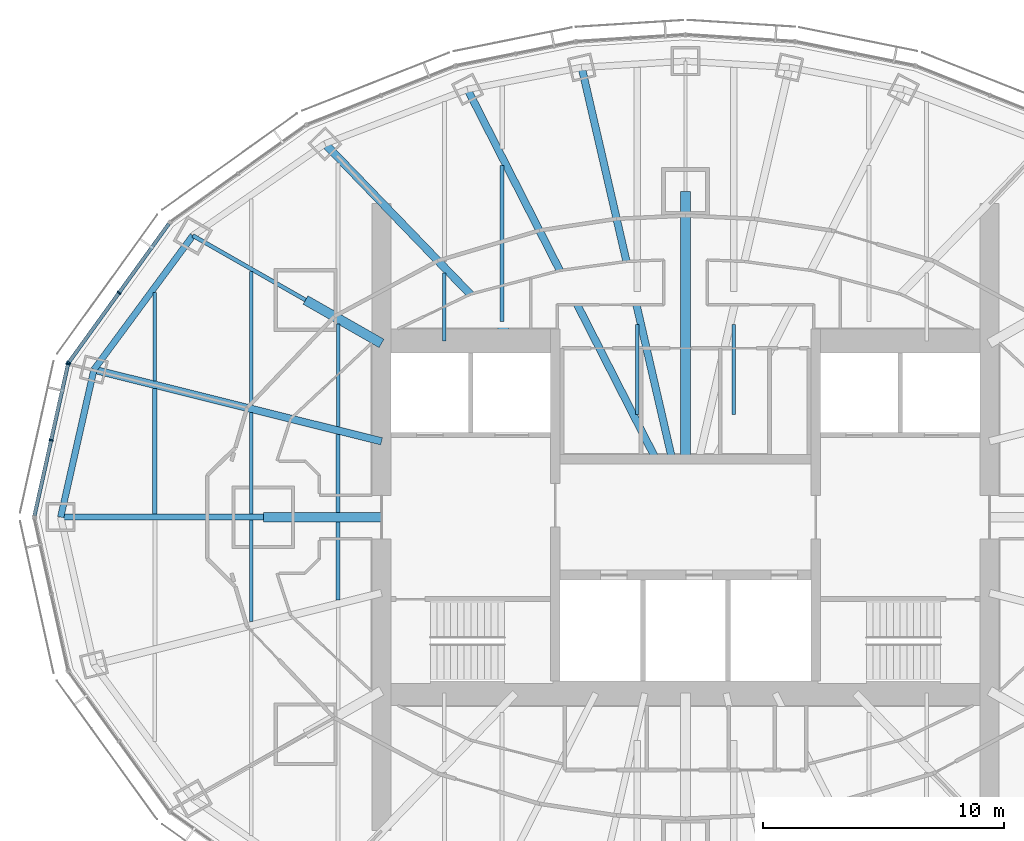
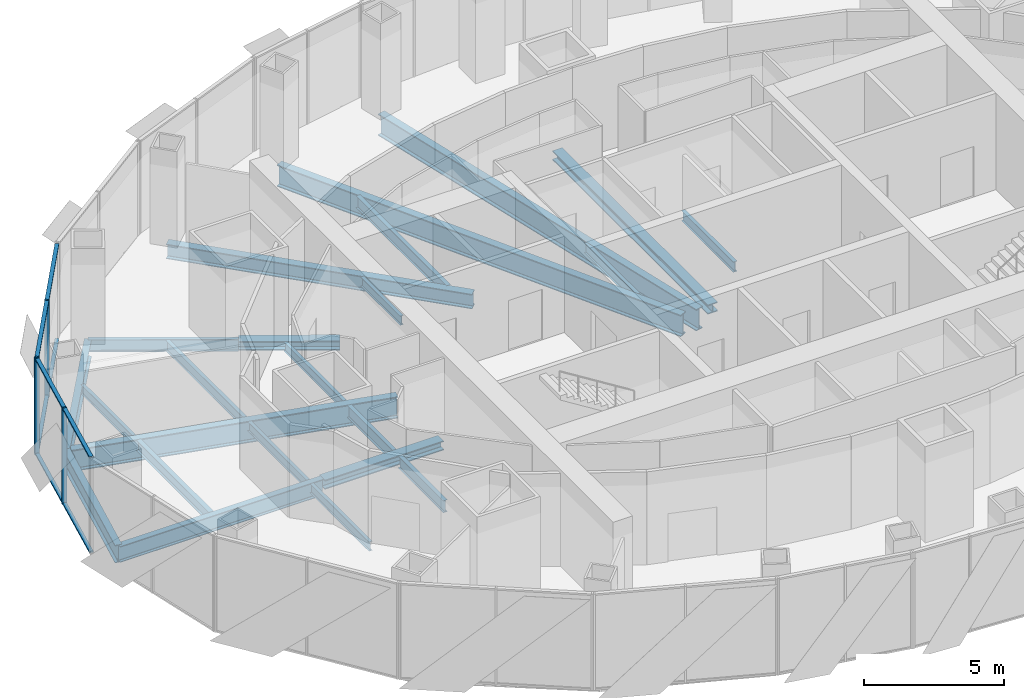
# One storey, part 4 of 17: 23 beams, 12 members, 2 elements without a shape of their own.
"""IFC4 building model written with IfcOpenShell, lengths in metres."""

from ifc_helpers import new_model, si_unit, direction, frame, origin, origin_2d, place, context, subcontext, project, spatial, rectangle, i_section, extrude, material, material_profile, profile_set, type_object, element, aggregate, save


model = new_model("IFC4")

# Units and contexts
model_context = context("Model", 3, precision=1e-05, world=origin(), true_north=direction((0.0, 1.0)))
body_context = subcontext(model_context, "Body", "Model", "MODEL_VIEW")
ifc_project = project(units=[si_unit("LENGTHUNIT", "METRE"), si_unit("AREAUNIT", "SQUARE_METRE"), si_unit("VOLUMEUNIT", "CUBIC_METRE"), si_unit("PLANEANGLEUNIT", "RADIAN"), si_unit("MASSUNIT", "GRAM", prefix="KILO")], contexts=[model_context])

# Site, building, storey
site_placement = place(None, origin())
site = spatial("IfcSite", under=ifc_project, at=site_placement, CompositionType="ELEMENT")
building_placement = place(site_placement, origin())
building = spatial("IfcBuilding", under=site, at=building_placement, Name="Lantaw Convention Tower", CompositionType="ELEMENT")
storey_placement = place(building_placement, frame((0.0, 0.0, 211.60009765625)))
storey = spatial("IfcBuildingStorey", under=building, at=storey_placement, Name="L49", CompositionType="ELEMENT", Elevation=211.60009765625)

# Beams
ifc_material_1 = material(Name="Steel ASTM A992", Category="steel")
ifc_material_profile_1 = material_profile(ifc_material_1, i_section(OverallWidth=0.2666015625, OverallDepth=0.76953125, WebThickness=0.015625, FlangeThickness=0.025390625, FilletRadius=0.0126953125, at=origin_2d()), Name="W30X132")
ifc_profile_set_1 = profile_set([ifc_material_profile_1], Name="Steel ASTM A992")
beam_type_1 = type_object("IfcBeamType", Name="Beam E W30X132", PredefinedType="SPANDREL", material=ifc_profile_set_1)
beam_1_placement = place(storey_placement, frame((-20.423095703125, 11.67041015625, -0.534912109375), z_axis=(-0.593639188853, -0.804731329984, 0.0), x_axis=(0.804731329984, -0.593639188853, 0.0)))
element("IfcBeam", 1, at=beam_1_placement, inside=storey, type_object=beam_type_1, Name="Edge beam 11", PredefinedType="SPANDREL", context=body_context, shape_type="SweptSolid", body=[
    extrude(i_section(OverallWidth=0.2666015625, OverallDepth=0.76953125, WebThickness=0.015625, FlangeThickness=0.025390625, FilletRadius=0.0126953125, at=origin_2d()), origin(), (0.0, 0.0, 1.0), 6.904541015625),
])
beam_2_placement = place(storey_placement, frame((-24.52197265625, 6.114013671875, -0.534912109375), z_axis=(-0.219857926596, -0.97553190215, 0.0), x_axis=(0.97553190215, -0.219857926596, 0.0)))
element("IfcBeam", 2, at=beam_2_placement, inside=storey, type_object=beam_type_1, Name="Edge beam 12", PredefinedType="SPANDREL", context=body_context, shape_type="SweptSolid", body=[
    extrude(i_section(OverallWidth=0.2666015625, OverallDepth=0.76953125, WebThickness=0.015625, FlangeThickness=0.025390625, FilletRadius=0.0126953125, at=origin_2d()), origin(), (0.0, 0.0, 1.0), 6.267333984375),
])
ifc_material_profile_2 = material_profile(ifc_material_1, i_section(OverallWidth=0.1650390625, OverallDepth=0.52587890625, WebThickness=0.0087890625, FlangeThickness=0.011474609375, FilletRadius=0.0126953125, at=origin_2d()), Name="W21X44")
ifc_profile_set_2 = profile_set([ifc_material_profile_2], Name="Steel ASTM A992")
beam_type_2 = type_object("IfcBeamType", Name="Beam G W21X44", PredefinedType="BEAM", material=ifc_profile_set_2)
beam_3_placement = place(storey_placement, frame((-15.75, 9.0, -0.4130859375), z_axis=(-0.868237559289, 0.496148708192, 0.0), x_axis=(-0.496148708192, -0.868237559289, 0.0)))
element("IfcBeam", 3, at=beam_3_placement, inside=storey, type_object=beam_type_2, Name="Floor girder on ray 11", PredefinedType="BEAM", context=body_context, shape_type="SweptSolid", body=[
    extrude(i_section(OverallWidth=0.1650390625, OverallDepth=0.52587890625, WebThickness=0.0087890625, FlangeThickness=0.011474609375, FilletRadius=0.0126953125, at=origin_2d()), origin(), (0.0, 0.0, 1.0), 5.38232421875),
])
ifc_material_profile_3 = material_profile(ifc_material_1, i_section(OverallWidth=0.32763671875, OverallDepth=0.64013671875, WebThickness=0.01904296875, FlangeThickness=0.033935546875, FilletRadius=0.0126953125, at=origin_2d()), Name="W24X176")
ifc_profile_set_3 = profile_set([ifc_material_profile_3], Name="Steel ASTM A992")
beam_type_3 = type_object("IfcBeamType", Name="Beam G W24X176", PredefinedType="BEAM", material=ifc_profile_set_3)
beam_4_placement = place(storey_placement, frame((-7.049560546875, 7.300048828125, -0.47021484375), z_axis=(-0.694657766726, 0.719340383356, 0.0), x_axis=(-0.719340383356, -0.694657766726, 0.0)))
element("IfcBeam", 4, at=beam_4_placement, inside=storey, type_object=beam_type_3, Name="Floor girder on ray 10", PredefinedType="BEAM", context=body_context, shape_type="SweptSolid", body=[
    extrude(i_section(OverallWidth=0.32763671875, OverallDepth=0.64013671875, WebThickness=0.01904296875, FlangeThickness=0.033935546875, FilletRadius=0.0126953125, at=origin_2d()), origin(), (0.0, 0.0, 1.0), 11.364990234375),
])
ifc_material_profile_4 = material_profile(ifc_material_1, i_section(OverallWidth=0.25390625, OverallDepth=0.700927734375, WebThickness=0.015380859375, FlangeThickness=0.02783203125, FilletRadius=0.01513671875, at=origin_2d()), Name="W27X129")
ifc_profile_set_4 = profile_set([ifc_material_profile_4], Name="Steel ASTM A992")
beam_type_4 = type_object("IfcBeamType", Name="Beam G W27X129", PredefinedType="BEAM", material=ifc_profile_set_4)
beam_5_placement = place(storey_placement, frame((-17.5, 0.0, -0.500732421875), z_axis=(-1.0, 0.0, 0.0), x_axis=(0.0, -1.0, 0.0)))
element("IfcBeam", 5, at=beam_5_placement, inside=storey, type_object=beam_type_4, Name="Floor girder on ray 13", PredefinedType="BEAM", context=body_context, shape_type="SweptSolid", body=[
    extrude(i_section(OverallWidth=0.25390625, OverallDepth=0.700927734375, WebThickness=0.015380859375, FlangeThickness=0.02783203125, FilletRadius=0.01513671875, at=origin_2d()), origin(), (0.0, 0.0, 1.0), 8.39990234375),
])
ifc_material_profile_5 = material_profile(ifc_material_1, i_section(OverallWidth=0.307373046875, OverallDepth=0.9423828125, WebThickness=0.022216796875, FlangeThickness=0.039794921875, FilletRadius=0.0126953125, at=origin_2d()), Name="W36X232")
ifc_profile_set_5 = profile_set([ifc_material_profile_5], Name="Steel ASTM A992")
beam_type_5 = type_object("IfcBeamType", Name="Beam G W36X232", PredefinedType="BEAM", material=ifc_profile_set_5)
beam_6_placement = place(storey_placement, frame((-0.55419921875, 2.39990234375, -0.621337890625), z_axis=(-0.224948287002, 0.974370703672, 0.0), x_axis=(-0.974370703672, -0.224948287002, 0.0)))
element("IfcBeam", 6, at=beam_6_placement, inside=storey, type_object=beam_type_5, Name="Floor girder on ray 8", PredefinedType="BEAM", context=body_context, shape_type="SweptSolid", body=[
    extrude(i_section(OverallWidth=0.307373046875, OverallDepth=0.9423828125, WebThickness=0.022216796875, FlangeThickness=0.039794921875, FilletRadius=0.0126953125, at=origin_2d()), origin(), (0.0, 0.0, 1.0), 16.66943359375),
])
beam_7_placement = place(storey_placement, frame((-1.222900390625, 2.39990234375, -0.621337890625), z_axis=(-0.453988481463, 0.891007552549, 0.0), x_axis=(-0.891007552549, -0.453988481463, 0.0)))
element("IfcBeam", 7, at=beam_7_placement, inside=storey, type_object=beam_type_5, Name="Floor girder on ray 9", PredefinedType="BEAM", context=body_context, shape_type="SweptSolid", body=[
    extrude(i_section(OverallWidth=0.307373046875, OverallDepth=0.9423828125, WebThickness=0.022216796875, FlangeThickness=0.039794921875, FilletRadius=0.0126953125, at=origin_2d()), origin(), (0.0, 0.0, 1.0), 17.20703125),
])
beam_8_placement = place(storey_placement, frame((-12.60009765625, 3.1416015625, -0.621337890625), z_axis=(-0.970296589314, 0.241918434119, 0.0), x_axis=(-0.241918434119, -0.970296589314, 0.0)))
element("IfcBeam", 8, at=beam_8_placement, inside=storey, type_object=beam_type_5, Name="Floor girder on ray 12", PredefinedType="BEAM", context=body_context, shape_type="SweptSolid", body=[
    extrude(i_section(OverallWidth=0.307373046875, OverallDepth=0.9423828125, WebThickness=0.022216796875, FlangeThickness=0.039794921875, FilletRadius=0.0126953125, at=origin_2d()), origin(), (0.0, 0.0, 1.0), 12.286865234375),
])
ifc_material_profile_6 = material_profile(ifc_material_1, i_section(OverallWidth=0.40380859375, OverallDepth=0.406494140625, WebThickness=0.027099609375, FlangeThickness=0.043701171875, FilletRadius=0.01513671875, at=origin_2d()), Name="W14X233")
ifc_profile_set_6 = profile_set([ifc_material_profile_6], Name="Steel ASTM A992")
beam_type_6 = type_object("IfcBeamType", Name="Beam GM W14X233", PredefinedType="BEAM", material=ifc_profile_set_6)
beam_9_placement = place(storey_placement, frame((0.0, 2.39990234375, -0.353271484375), z_axis=(0.0, 1.0, 0.0), x_axis=(-1.0, 0.0, 0.0)))
element("IfcBeam", 9, at=beam_9_placement, inside=storey, type_object=beam_type_6, Name="Core link beam on ray 7", PredefinedType="BEAM", context=body_context, shape_type="SweptSolid", body=[
    extrude(i_section(OverallWidth=0.40380859375, OverallDepth=0.406494140625, WebThickness=0.027099609375, FlangeThickness=0.043701171875, FilletRadius=0.01513671875, at=origin_2d()), origin(), (0.0, 0.0, 1.0), 11.10009765625),
])
beam_10_placement = place(storey_placement, frame((-12.60009765625, 7.199951171875, -0.353271484375), z_axis=(-0.868230718294, 0.496160679428, 0.0), x_axis=(-0.496160679428, -0.868230718294, 0.0)))
element("IfcBeam", 10, at=beam_10_placement, inside=storey, type_object=beam_type_6, Name="Core link beam on ray 11", PredefinedType="BEAM", context=body_context, shape_type="SweptSolid", body=[
    extrude(i_section(OverallWidth=0.40380859375, OverallDepth=0.406494140625, WebThickness=0.027099609375, FlangeThickness=0.043701171875, FilletRadius=0.01513671875, at=origin_2d()), origin(), (0.0, 0.0, 1.0), 3.6279296875),
])
beam_11_placement = place(storey_placement, frame((-12.60009765625, 0.0, -0.353271484375), z_axis=(-1.0, 0.0, 0.0), x_axis=(0.0, -1.0, 0.0)))
element("IfcBeam", 11, at=beam_11_placement, inside=storey, type_object=beam_type_6, Name="Core link beam on ray 13", PredefinedType="BEAM", context=body_context, shape_type="SweptSolid", body=[
    extrude(i_section(OverallWidth=0.40380859375, OverallDepth=0.406494140625, WebThickness=0.027099609375, FlangeThickness=0.043701171875, FilletRadius=0.01513671875, at=origin_2d()), origin(), (0.0, 0.0, 1.0), 4.89990234375),
])
ifc_material_profile_7 = material_profile(ifc_material_1, i_section(OverallWidth=0.140380859375, OverallDepth=0.40380859375, WebThickness=0.007080078125, FlangeThickness=0.01123046875, FilletRadius=0.01025390625, at=origin_2d()), Name="W16X31")
ifc_profile_set_7 = profile_set([ifc_material_profile_7], Name="Steel ASTM A992")
beam_type_7 = type_object("IfcBeamType", Name="Beam J W16X31", PredefinedType="JOIST", material=ifc_profile_set_7)
beam_12_placement = place(storey_placement, frame((-22.0, 5.6435546875, -0.35205078125), z_axis=(0.0, 1.0, 0.0), x_axis=(-1.0, 0.0, 0.0)))
element("IfcBeam", 12, at=beam_12_placement, inside=storey, type_object=beam_type_7, Name="Floor joist", PredefinedType="JOIST", context=body_context, shape_type="SweptSolid", body=[
    extrude(i_section(OverallWidth=0.140380859375, OverallDepth=0.40380859375, WebThickness=0.007080078125, FlangeThickness=0.01123046875, FilletRadius=0.01025390625, at=origin_2d()), origin(), (0.0, 0.0, 1.0), 3.66455078125),
])
for number, where, z_axis, x_axis, name in (
    (13, (-18.0, -4.32958984375, -0.35205078125), (0.0, 1.0, 0.0), (-1.0, 0.0, 0.0), "Floor joist"),
    (14, (-18.0, 0.126953125, -0.35205078125), (0.0, 1.0, 0.0), (-1.0, 0.0, 0.0), "Floor joist"),
):
    element("IfcBeam", number, at=place(storey_placement, frame(where, z_axis=z_axis, x_axis=x_axis)), inside=storey, type_object=beam_type_7, Name=name, PredefinedType="JOIST", context=body_context, shape_type="SweptSolid", body=[
        extrude(i_section(OverallWidth=0.140380859375, OverallDepth=0.40380859375, WebThickness=0.007080078125, FlangeThickness=0.01123046875, FilletRadius=0.01025390625, at=origin_2d()), origin(), (0.0, 0.0, 1.0), 4.20263671875),
    ])
beam_13_placement = place(storey_placement, frame((-14.39990234375, 3.748779296875, -0.35205078125), z_axis=(0.0, 1.0, 0.0), x_axis=(-1.0, 0.0, 0.0)))
element("IfcBeam", 15, at=beam_13_placement, inside=storey, type_object=beam_type_7, Name="Floor joist", PredefinedType="JOIST", context=body_context, shape_type="SweptSolid", body=[
    extrude(i_section(OverallWidth=0.140380859375, OverallDepth=0.40380859375, WebThickness=0.007080078125, FlangeThickness=0.01123046875, FilletRadius=0.01025390625, at=origin_2d()), origin(), (0.0, 0.0, 1.0), 4.247314453125),
])
beam_14_placement = place(storey_placement, frame((-10.0, 7.300048828125, -0.35205078125), z_axis=(0.0, 1.0, 0.0), x_axis=(-1.0, 0.0, 0.0)))
element("IfcBeam", 16, at=beam_14_placement, inside=storey, type_object=beam_type_7, Name="Floor joist", PredefinedType="JOIST", context=body_context, shape_type="SweptSolid", body=[
    extrude(i_section(OverallWidth=0.140380859375, OverallDepth=0.40380859375, WebThickness=0.007080078125, FlangeThickness=0.01123046875, FilletRadius=0.01025390625, at=origin_2d()), origin(), (0.0, 0.0, 1.0), 2.8193359375),
])
ifc_material_profile_8 = material_profile(ifc_material_1, i_section(OverallWidth=0.15234375, OverallDepth=0.449462890625, WebThickness=0.007568359375, FlangeThickness=0.0107421875, FilletRadius=0.01025390625, at=origin_2d()), Name="W18X35")
ifc_profile_set_8 = profile_set([ifc_material_profile_8], Name="Steel ASTM A992")
beam_type_8 = type_object("IfcBeamType", Name="Beam J W18X35", PredefinedType="JOIST", material=ifc_profile_set_8)
beam_15_placement = place(storey_placement, frame((-18.0, 4.646240234375, -0.375), z_axis=(0.0, 1.0, 0.0), x_axis=(-1.0, 0.0, 0.0)))
element("IfcBeam", 17, at=beam_15_placement, inside=storey, type_object=beam_type_8, Name="Floor joist", PredefinedType="JOIST", context=body_context, shape_type="SweptSolid", body=[
    extrude(i_section(OverallWidth=0.15234375, OverallDepth=0.449462890625, WebThickness=0.007568359375, FlangeThickness=0.0107421875, FilletRadius=0.01025390625, at=origin_2d()), origin(), (0.0, 0.0, 1.0), 5.54443359375),
])
for number, where, z_axis, x_axis, name in (
    (18, (-2.0, 4.263671875, -0.375), (0.0, 1.0, 0.0), (-1.0, 0.0, 0.0), "Floor joist"),
    (19, (2.0, 4.263671875, -0.375), (0.0, 1.0, 0.0), (-1.0, 0.0, 0.0), "Floor joist"),
):
    element("IfcBeam", number, at=place(storey_placement, frame(where, z_axis=z_axis, x_axis=x_axis)), inside=storey, type_object=beam_type_8, Name=name, PredefinedType="JOIST", context=body_context, shape_type="SweptSolid", body=[
        extrude(i_section(OverallWidth=0.15234375, OverallDepth=0.449462890625, WebThickness=0.007568359375, FlangeThickness=0.0107421875, FilletRadius=0.01025390625, at=origin_2d()), origin(), (0.0, 0.0, 1.0), 3.716064453125),
    ])
ifc_material_profile_9 = material_profile(ifc_material_1, i_section(OverallWidth=0.1904296875, OverallDepth=0.457275390625, WebThickness=0.009033203125, FlangeThickness=0.014404296875, FilletRadius=0.01025390625, at=origin_2d()), Name="W18X50")
ifc_profile_set_9 = profile_set([ifc_material_profile_9], Name="Steel ASTM A992")
beam_type_9 = type_object("IfcBeamType", Name="Beam J W18X50", PredefinedType="JOIST", material=ifc_profile_set_9)
beam_16_placement = place(storey_placement, frame((-22.0, 0.126953125, -0.378662109375), z_axis=(0.0, 1.0, 0.0), x_axis=(-1.0, 0.0, 0.0)))
element("IfcBeam", 20, at=beam_16_placement, inside=storey, type_object=beam_type_9, Name="Floor joist", PredefinedType="JOIST", context=body_context, shape_type="SweptSolid", body=[
    extrude(i_section(OverallWidth=0.1904296875, OverallDepth=0.457275390625, WebThickness=0.009033203125, FlangeThickness=0.014404296875, FilletRadius=0.01025390625, at=origin_2d()), origin(), (0.0, 0.0, 1.0), 5.199951171875),
])
ifc_material_profile_10 = material_profile(ifc_material_1, i_section(OverallWidth=0.1650390625, OverallDepth=0.52587890625, WebThickness=0.0087890625, FlangeThickness=0.011474609375, FilletRadius=0.0126953125, at=origin_2d()), Name="W21X44")
ifc_profile_set_10 = profile_set([ifc_material_profile_10], Name="Steel ASTM A992")
beam_type_10 = type_object("IfcBeamType", Name="Beam J W21X44", PredefinedType="JOIST", material=ifc_profile_set_10)
for number, where, z_axis, x_axis, name in (
    (21, (-14.39990234375, -3.431884765625, -0.4130859375), (0.0, 1.0, 0.0), (-1.0, 0.0, 0.0), "Floor joist"),
    (22, (-14.39990234375, 0.201904296875, -0.4130859375), (0.0, 1.0, 0.0), (-1.0, 0.0, 0.0), "Floor joist"),
):
    element("IfcBeam", number, at=place(storey_placement, frame(where, z_axis=z_axis, x_axis=x_axis)), inside=storey, type_object=beam_type_10, Name=name, PredefinedType="JOIST", context=body_context, shape_type="SweptSolid", body=[
        extrude(i_section(OverallWidth=0.1650390625, OverallDepth=0.52587890625, WebThickness=0.0087890625, FlangeThickness=0.011474609375, FilletRadius=0.0126953125, at=origin_2d()), origin(), (0.0, 0.0, 1.0), 3.22998046875),
    ])
beam_17_placement = place(storey_placement, frame((-7.60009765625, 8.10595703125, -0.4130859375), z_axis=(0.0, 1.0, 0.0), x_axis=(-1.0, 0.0, 0.0)))
element("IfcBeam", 23, at=beam_17_placement, inside=storey, type_object=beam_type_10, Name="Floor joist", PredefinedType="JOIST", context=body_context, shape_type="SweptSolid", body=[
    extrude(i_section(OverallWidth=0.1650390625, OverallDepth=0.52587890625, WebThickness=0.0087890625, FlangeThickness=0.011474609375, FilletRadius=0.0126953125, at=origin_2d()), origin(), (0.0, 0.0, 1.0), 6.471435546875),
])

# Curtain wall, members
ifc_material_2 = material(Name="Aluminium framed curtain wall", Category="aluminium")
curtain_wall_type = type_object("IfcCurtainWallType", Name="Office curtain wall high rise, pale aluminium", PredefinedType="USERDEFINED", material=ifc_material_2)
curtain_wall_1_placement = place(storey_placement, origin())
curtain_wall_1 = element("IfcCurtainWall", 24, at=curtain_wall_1_placement, inside=storey, type_object=curtain_wall_type, Name="Office curtain wall high rise, pale aluminium L49", ObjectType="UNITISED CURTAIN WALL", PredefinedType="USERDEFINED")
ifc_material_3 = material(Name="Aluminium 6063-T6", Category="aluminium")
ifc_material_profile_11 = material_profile(ifc_material_3, rectangle(XDim=0.179931640625, YDim=0.06494140625, at=origin_2d()), Name="CW-O2 mullion 65x180")
ifc_profile_set_11 = profile_set([ifc_material_profile_11], Name="Aluminium 6063-T6")
member_type_1 = type_object("IfcMemberType", Name="CW-O2 mullion 65x180", PredefinedType="MULLION", material=ifc_profile_set_11)
member_1_placement = place(storey_placement, frame((-23.483642578125, 9.298095703125, -0.150146484375), z_axis=(0.0, 0.0, 1.0), x_axis=(0.810919559405, -0.585157643865, 0.0)))
member_1 = element("IfcMember", 25, at=member_1_placement, type_object=member_type_1, Name="CW-O2 mullion 2", PredefinedType="MULLION", context=body_context, shape_type="SweptSolid", body=[
    extrude(rectangle(XDim=0.179931640625, YDim=0.06494140625, at=origin_2d()), origin(), (0.0, 0.0, 1.0), 4.199951171875),
])
member_2_placement = place(storey_placement, frame((-25.5703125, 6.406494140625, -0.150146484375), z_axis=(0.0, 0.0, 1.0), x_axis=(0.810919559405, -0.585157643865, 0.0)))
member_2 = element("IfcMember", 26, at=member_2_placement, type_object=member_type_1, Name="CW-O2 mullion 3", PredefinedType="MULLION", context=body_context, shape_type="SweptSolid", body=[
    extrude(rectangle(XDim=0.179931640625, YDim=0.06494140625, at=origin_2d()), origin(), (0.0, 0.0, 1.0), 4.199951171875),
])

curtain_wall_2_placement = place(storey_placement, origin())
curtain_wall_2 = element("IfcCurtainWall", 27, at=curtain_wall_2_placement, inside=storey, type_object=curtain_wall_type, Name="Office curtain wall high rise, pale aluminium L49", ObjectType="UNITISED CURTAIN WALL", PredefinedType="USERDEFINED")
member_3_placement = place(storey_placement, frame((-25.596435546875, 6.348388671875, -0.150146484375), z_axis=(0.0, 0.0, 1.0), x_axis=(0.976417396437, -0.215891333626, 0.0)))
member_3 = element("IfcMember", 28, at=member_3_placement, type_object=member_type_1, Name="CW-O2 mullion 1", PredefinedType="MULLION", context=body_context, shape_type="SweptSolid", body=[
    extrude(rectangle(XDim=0.179931640625, YDim=0.06494140625, at=origin_2d()), origin(), (0.0, 0.0, 1.0), 4.199951171875),
])
member_4_placement = place(storey_placement, frame((-26.294677734375, 3.190185546875, -0.150146484375), z_axis=(0.0, 0.0, 1.0), x_axis=(0.976417396437, -0.215891333626, 0.0)))
member_4 = element("IfcMember", 29, at=member_4_placement, type_object=member_type_1, Name="CW-O2 mullion 2", PredefinedType="MULLION", context=body_context, shape_type="SweptSolid", body=[
    extrude(rectangle(XDim=0.179931640625, YDim=0.06494140625, at=origin_2d()), origin(), (0.0, 0.0, 1.0), 4.199951171875),
])

# Member
ifc_material_profile_12 = material_profile(ifc_material_3, rectangle(XDim=0.14990234375, YDim=0.06494140625, at=origin_2d()), Name="CW-O2 transom 65x150")
ifc_profile_set_12 = profile_set([ifc_material_profile_12], Name="Aluminium 6063-T6")
member_type_2 = type_object("IfcMemberType", Name="CW-O2 transom 65x150", PredefinedType="USERDEFINED", material=ifc_profile_set_12)
member_5_placement = place(storey_placement, frame((-21.416259765625, 12.163330078125, -0.11767578125), z_axis=(-0.585123825205, -0.810943961798, 0.0), x_axis=(0.810943961798, -0.585123825205, 0.0)))
member_5 = element("IfcMember", 30, at=member_5_placement, type_object=member_type_2, Name="CW-O2 transom 1.1", ObjectType="TRANSOM", PredefinedType="USERDEFINED", context=body_context, shape_type="SweptSolid", body=[
    extrude(rectangle(XDim=0.14990234375, YDim=0.06494140625, at=origin_2d()), origin(), (0.0, 0.0, 1.0), 3.500732421875),
])

member_6_placement = place(storey_placement, frame((-21.416259765625, 12.163330078125, 4.017333984375), z_axis=(-0.585123825205, -0.810943961798, 0.0), x_axis=(0.810943961798, -0.585123825205, 0.0)))
member_6 = element("IfcMember", 31, at=member_6_placement, type_object=member_type_2, Name="CW-O2 transom 1.2", ObjectType="TRANSOM", PredefinedType="USERDEFINED", context=body_context, shape_type="SweptSolid", body=[
    extrude(rectangle(XDim=0.14990234375, YDim=0.06494140625, at=origin_2d()), origin(), (0.0, 0.0, 1.0), 3.500732421875),
])

member_7_placement = place(storey_placement, frame((-23.502685546875, 9.271728515625, -0.11767578125), z_axis=(-0.585169685931, -0.810910869743, 0.0), x_axis=(0.810910869743, -0.585169685931, 0.0)))
member_7 = element("IfcMember", 32, at=member_7_placement, type_object=member_type_2, Name="CW-O2 transom 2.1", ObjectType="TRANSOM", PredefinedType="USERDEFINED", context=body_context, shape_type="SweptSolid", body=[
    extrude(rectangle(XDim=0.14990234375, YDim=0.06494140625, at=origin_2d()), origin(), (0.0, 0.0, 1.0), 3.500732421875),
])

member_8_placement = place(storey_placement, frame((-23.502685546875, 9.271728515625, 4.017333984375), z_axis=(-0.585169685931, -0.810910869743, 0.0), x_axis=(0.810910869743, -0.585169685931, 0.0)))
member_8 = element("IfcMember", 33, at=member_8_placement, type_object=member_type_2, Name="CW-O2 transom 2.2", ObjectType="TRANSOM", PredefinedType="USERDEFINED", context=body_context, shape_type="SweptSolid", body=[
    extrude(rectangle(XDim=0.14990234375, YDim=0.06494140625, at=origin_2d()), origin(), (0.0, 0.0, 1.0), 3.500732421875),
])

aggregate(curtain_wall_1, [member_1, member_2, member_5, member_6, member_7, member_8])

member_9_placement = place(storey_placement, frame((-25.603271484375, 6.316650390625, -0.11767578125), z_axis=(-0.215894607042, -0.976416672661, 0.0), x_axis=(0.976416672661, -0.215894607042, 0.0)))
member_9 = element("IfcMember", 34, at=member_9_placement, type_object=member_type_2, Name="CW-O2 transom 1.1", ObjectType="TRANSOM", PredefinedType="USERDEFINED", context=body_context, shape_type="SweptSolid", body=[
    extrude(rectangle(XDim=0.14990234375, YDim=0.06494140625, at=origin_2d()), origin(), (0.0, 0.0, 1.0), 3.169677734375),
])

member_10_placement = place(storey_placement, frame((-25.603271484375, 6.316650390625, 4.017333984375), z_axis=(-0.215894607042, -0.976416672661, 0.0), x_axis=(0.976416672661, -0.215894607042, 0.0)))
member_10 = element("IfcMember", 35, at=member_10_placement, type_object=member_type_2, Name="CW-O2 transom 1.2", ObjectType="TRANSOM", PredefinedType="USERDEFINED", context=body_context, shape_type="SweptSolid", body=[
    extrude(rectangle(XDim=0.14990234375, YDim=0.06494140625, at=origin_2d()), origin(), (0.0, 0.0, 1.0), 3.169677734375),
])

member_11_placement = place(storey_placement, frame((-26.3017578125, 3.158447265625, -0.11767578125), z_axis=(-0.215894607042, -0.976416672661, 0.0), x_axis=(0.976416672661, -0.215894607042, 0.0)))
member_11 = element("IfcMember", 36, at=member_11_placement, type_object=member_type_2, Name="CW-O2 transom 2.1", ObjectType="TRANSOM", PredefinedType="USERDEFINED", context=body_context, shape_type="SweptSolid", body=[
    extrude(rectangle(XDim=0.14990234375, YDim=0.06494140625, at=origin_2d()), origin(), (0.0, 0.0, 1.0), 3.169677734375),
])

member_12_placement = place(storey_placement, frame((-26.3017578125, 3.158447265625, 4.017333984375), z_axis=(-0.215894607042, -0.976416672661, 0.0), x_axis=(0.976416672661, -0.215894607042, 0.0)))
member_12 = element("IfcMember", 37, at=member_12_placement, type_object=member_type_2, Name="CW-O2 transom 2.2", ObjectType="TRANSOM", PredefinedType="USERDEFINED", context=body_context, shape_type="SweptSolid", body=[
    extrude(rectangle(XDim=0.14990234375, YDim=0.06494140625, at=origin_2d()), origin(), (0.0, 0.0, 1.0), 3.169677734375),
])

aggregate(curtain_wall_2, [member_3, member_4, member_9, member_10, member_11, member_12])

save(model, "model.ifc")
